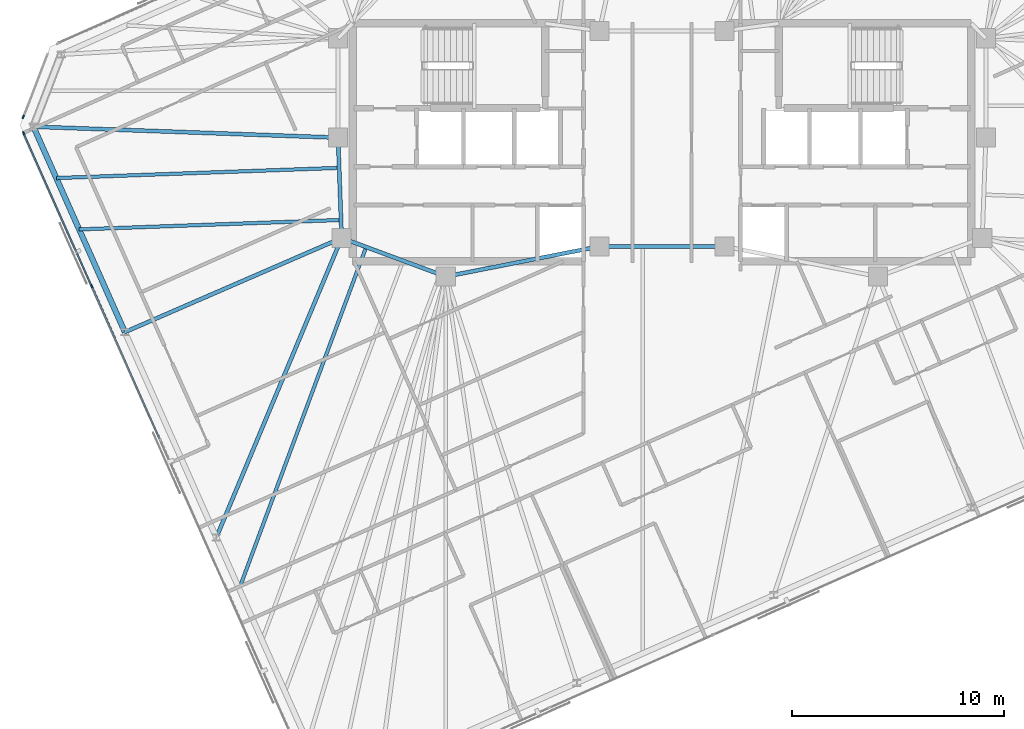
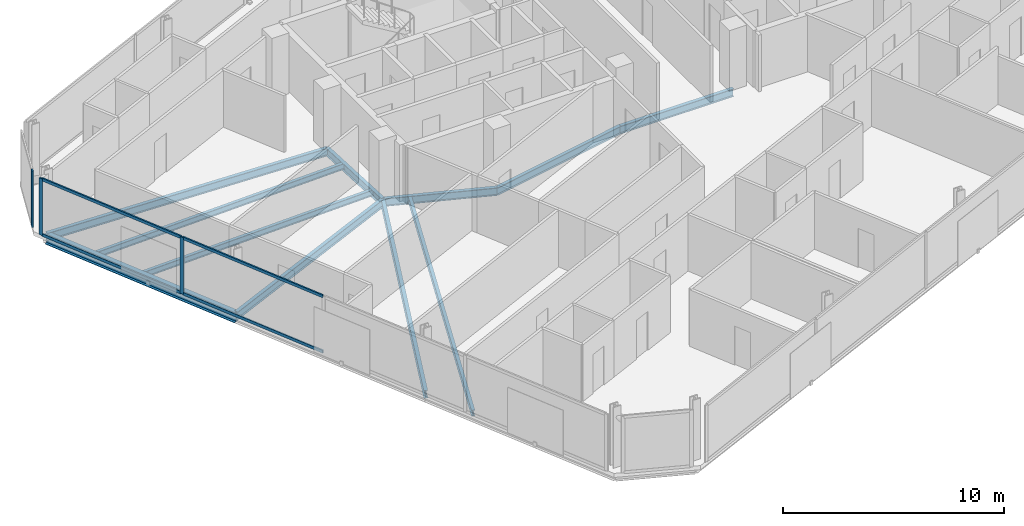
# One storey, part 6 of 19: 11 beams, 7 members, 2 elements without a shape of their own.
"""IFC4 building model written with IfcOpenShell, lengths in metres."""

from ifc_helpers import new_model, si_unit, direction, frame, origin, origin_2d, place, context, subcontext, project, spatial, rectangle, i_section, extrude, material, material_profile, profile_set, type_object, element, aggregate, save


model = new_model("IFC4")

# Units and contexts
model_context = context("Model", 3, precision=1e-05, world=origin(), true_north=direction((0.0, 1.0)))
body_context = subcontext(model_context, "Body", "Model", "MODEL_VIEW")
ifc_project = project(units=[si_unit("LENGTHUNIT", "METRE"), si_unit("AREAUNIT", "SQUARE_METRE"), si_unit("VOLUMEUNIT", "CUBIC_METRE"), si_unit("PLANEANGLEUNIT", "RADIAN"), si_unit("MASSUNIT", "GRAM", prefix="KILO")], contexts=[model_context])

# Site, building, storey
site_placement = place(None, origin())
site = spatial("IfcSite", under=ifc_project, at=site_placement, CompositionType="ELEMENT")
building_placement = place(site_placement, origin())
building = spatial("IfcBuilding", under=site, at=building_placement, Name="Menara Jurai Vektor", CompositionType="ELEMENT")
storey_placement = place(building_placement, frame((0.0, 0.0, 295.300048828125)))
storey = spatial("IfcBuildingStorey", under=building, at=storey_placement, Name="L79", CompositionType="ELEMENT", Elevation=295.300048828125)

# Curtain wall, member
ifc_material_1 = material(Name="Anodised Pale Aluminium & Low-E Double Glazing", Category="aluminium")
curtain_wall_type = type_object("IfcCurtainWallType", Name="CW-BLK5", PredefinedType="NOTDEFINED", material=ifc_material_1)
curtain_wall_1_placement = place(storey_placement, origin())
curtain_wall_1 = element("IfcCurtainWall", 1, at=curtain_wall_1_placement, inside=storey, type_object=curtain_wall_type, Name="Unitised Curtain Wall L79 F06", PredefinedType="NOTDEFINED")
ifc_material_2 = material(Name="Anodised Pale Aluminium Mullion", Category="aluminium")
ifc_material_profile_1 = material_profile(ifc_material_2, rectangle(XDim=0.074951171875, YDim=0.175048828125, at=origin_2d()), Name="ALU MUL 75x175")
ifc_profile_set_1 = profile_set([ifc_material_profile_1], Name="Anodised Pale Aluminium Mullion")
member_type_1 = type_object("IfcMemberType", Name="CW-BLK5-MUL", PredefinedType="MULLION", material=ifc_profile_set_1)
member_1_placement = place(storey_placement, frame((-30.075439453125, 1.197265625, 0.0), z_axis=(0.0, 0.0, 1.0), x_axis=(0.933578193639, -0.358373766287, 0.0)))
member_1 = element("IfcMember", 2, at=member_1_placement, type_object=member_type_1, Name="CW-05 mullion 2", PredefinedType="MULLION", context=body_context, shape_type="SweptSolid", body=[
    extrude(rectangle(XDim=0.074951171875, YDim=0.175048828125, at=origin_2d()), origin(), (0.0, 0.0, 1.0), 3.125),
])
aggregate(curtain_wall_1, [member_1])

# Curtain wall, members
curtain_wall_2_placement = place(storey_placement, origin())
curtain_wall_2 = element("IfcCurtainWall", 3, at=curtain_wall_2_placement, inside=storey, type_object=curtain_wall_type, Name="Unitised Curtain Wall L79 F07", PredefinedType="NOTDEFINED")
member_2_placement = place(storey_placement, frame((-30.055419921875, 0.426025390625, 0.0), z_axis=(0.0, 0.0, 1.0), x_axis=(0.913546127706, 0.406735138086, 0.0)))
member_2 = element("IfcMember", 4, at=member_2_placement, type_object=member_type_1, Name="CW-05 mullion 1", PredefinedType="MULLION", context=body_context, shape_type="SweptSolid", body=[
    extrude(rectangle(XDim=0.074951171875, YDim=0.175048828125, at=origin_2d()), origin(), (0.0, 0.0, 1.0), 3.125),
])
member_3_placement = place(storey_placement, frame((-26.853271484375, -6.765869140625, 0.0), z_axis=(0.0, 0.0, 1.0), x_axis=(0.913546127706, 0.406735138086, 0.0)))
member_3 = element("IfcMember", 5, at=member_3_placement, type_object=member_type_1, Name="CW-05 mullion 2", PredefinedType="MULLION", context=body_context, shape_type="SweptSolid", body=[
    extrude(rectangle(XDim=0.074951171875, YDim=0.175048828125, at=origin_2d()), origin(), (0.0, 0.0, 1.0), 3.125),
])
ifc_material_3 = material(Name="Anodised Pale Aluminium Transom", Category="aluminium")
ifc_material_profile_2 = material_profile(ifc_material_3, rectangle(XDim=0.074951171875, YDim=0.155029296875, at=origin_2d()), Name="ALU TRN 75x155")
ifc_profile_set_2 = profile_set([ifc_material_profile_2], Name="Anodised Pale Aluminium Transom")
member_type_2 = type_object("IfcMemberType", Name="CW-BLK5-TRN", PredefinedType="USERDEFINED", material=ifc_profile_set_2)
member_4_placement = place(storey_placement, frame((-30.0400390625, 0.391845703125, 0.037353515625), z_axis=(0.406713581109, -0.913555725143, 0.0), x_axis=(0.913555725143, 0.406713581109, 0.0)))
member_4 = element("IfcMember", 6, at=member_4_placement, type_object=member_type_2, Name="CW-05 transom 1.1", ObjectType="TRANSOM", PredefinedType="USERDEFINED", context=body_context, shape_type="SweptSolid", body=[
    extrude(rectangle(XDim=0.074951171875, YDim=0.155029296875, at=origin_2d()), origin(), (0.0, 0.0, 1.0), 7.797607421875),
])
member_5_placement = place(storey_placement, frame((-30.0400390625, 0.391845703125, 3.08740234375), z_axis=(0.406713581109, -0.913555725143, 0.0), x_axis=(0.913555725143, 0.406713581109, 0.0)))
member_5 = element("IfcMember", 7, at=member_5_placement, type_object=member_type_2, Name="CW-05 transom 1.2", ObjectType="TRANSOM", PredefinedType="USERDEFINED", context=body_context, shape_type="SweptSolid", body=[
    extrude(rectangle(XDim=0.074951171875, YDim=0.155029296875, at=origin_2d()), origin(), (0.0, 0.0, 1.0), 7.797607421875),
])
member_6_placement = place(storey_placement, frame((-26.838134765625, -6.800048828125, 0.037353515625), z_axis=(0.406731062496, -0.913547942256, 0.0), x_axis=(0.913547942256, 0.406731062496, 0.0)))
member_6 = element("IfcMember", 8, at=member_6_placement, type_object=member_type_2, Name="CW-05 transom 2.1", ObjectType="TRANSOM", PredefinedType="USERDEFINED", context=body_context, shape_type="SweptSolid", body=[
    extrude(rectangle(XDim=0.074951171875, YDim=0.155029296875, at=origin_2d()), origin(), (0.0, 0.0, 1.0), 7.8349609375),
])
member_7_placement = place(storey_placement, frame((-26.838134765625, -6.800048828125, 3.08740234375), z_axis=(0.406731062496, -0.913547942256, 0.0), x_axis=(0.913547942256, 0.406731062496, 0.0)))
member_7 = element("IfcMember", 9, at=member_7_placement, type_object=member_type_2, Name="CW-05 transom 2.2", ObjectType="TRANSOM", PredefinedType="USERDEFINED", context=body_context, shape_type="SweptSolid", body=[
    extrude(rectangle(XDim=0.074951171875, YDim=0.155029296875, at=origin_2d()), origin(), (0.0, 0.0, 1.0), 7.8349609375),
])
aggregate(curtain_wall_2, [member_2, member_3, member_4, member_5, member_6, member_7])

# Beams
ifc_material_4 = material(Name="Steel S355", Category="steel")
ifc_material_profile_3 = material_profile(ifc_material_4, i_section(OverallWidth=0.18505859375, OverallDepth=0.429931640625, WebThickness=0.010986328125, FlangeThickness=0.01806640625, at=origin_2d()), Name="PG 430x185x76")
ifc_profile_set_3 = profile_set([ifc_material_profile_3], Name="Steel S355")
beam_type_1 = type_object("IfcBeamType", Name="STR-BM-430", PredefinedType="BEAM", material=ifc_profile_set_3)
beam_1_placement = place(storey_placement, frame((-15.080078125, -4.5, -0.43994140625), z_axis=(-0.035977314146, 0.999352606874, 0.0), x_axis=(-0.999352606874, -0.035977314146, 0.0)))
element("IfcBeam", 10, at=beam_1_placement, inside=storey, type_object=beam_type_1, Name="Core Ring Header Girder L79-CHW-W2", PredefinedType="BEAM", context=body_context, shape_type="SweptSolid", body=[
    extrude(i_section(OverallWidth=0.18505859375, OverallDepth=0.429931640625, WebThickness=0.010986328125, FlangeThickness=0.01806640625, at=origin_2d()), origin(), (0.0, 0.0, 1.0), 4.72314453125),
])
beam_2_placement = place(storey_placement, frame((-15.080078125, -4.5, -0.43994140625), z_axis=(0.937424400887, -0.348188874925, 0.0), x_axis=(0.348188874925, 0.937424400887, 0.0)))
element("IfcBeam", 11, at=beam_2_placement, inside=storey, type_object=beam_type_1, Name="Core Ring Header Girder L79-CHW-S1", PredefinedType="BEAM", context=body_context, shape_type="SweptSolid", body=[
    extrude(i_section(OverallWidth=0.18505859375, OverallDepth=0.429931640625, WebThickness=0.010986328125, FlangeThickness=0.01806640625, at=origin_2d()), origin(), (0.0, 0.0, 1.0), 5.227294921875),
])
beam_3_placement = place(storey_placement, frame((-10.179931640625, -6.320068359375, -0.43994140625), z_axis=(0.981249044334, 0.192744164614, 0.0), x_axis=(-0.192744164614, 0.981249044334, 0.0)))
element("IfcBeam", 12, at=beam_3_placement, inside=storey, type_object=beam_type_1, Name="Core Ring Header Girder L79-CHW-S2", PredefinedType="BEAM", context=body_context, shape_type="SweptSolid", body=[
    extrude(i_section(OverallWidth=0.18505859375, OverallDepth=0.429931640625, WebThickness=0.010986328125, FlangeThickness=0.01806640625, at=origin_2d()), origin(), (0.0, 0.0, 1.0), 7.3681640625),
])
beam_4_placement = place(storey_placement, frame((-2.949951171875, -4.89990234375, -0.43994140625), z_axis=(1.0, 0.0, 0.0), x_axis=(0.0, 1.0, 0.0)))
element("IfcBeam", 13, at=beam_4_placement, inside=storey, type_object=beam_type_1, Name="Core Ring Header Girder L79-CC-1", PredefinedType="BEAM", context=body_context, shape_type="SweptSolid", body=[
    extrude(i_section(OverallWidth=0.18505859375, OverallDepth=0.429931640625, WebThickness=0.010986328125, FlangeThickness=0.01806640625, at=origin_2d()), origin(), (0.0, 0.0, 1.0), 5.89990234375),
])
beam_5_placement = place(storey_placement, frame((-29.591796875, 0.73681640625, -0.43994140625), z_axis=(0.999351273077, -0.03601434436, 0.0), x_axis=(0.03601434436, 0.999351273077, 0.0)))
element("IfcBeam", 14, at=beam_5_placement, inside=storey, type_object=beam_type_1, Name="Radial Floor Girder L79-W1", PredefinedType="BEAM", context=body_context, shape_type="SweptSolid", body=[
    extrude(i_section(OverallWidth=0.18505859375, OverallDepth=0.429931640625, WebThickness=0.010986328125, FlangeThickness=0.01806640625, at=origin_2d()), origin(), (0.0, 0.0, 1.0), 14.35107421875),
])
beam_6_placement = place(storey_placement, frame((-25.286376953125, -8.933349609375, -0.43994140625), z_axis=(0.917207084259, 0.398410798781, 0.0), x_axis=(-0.398410798781, 0.917207084259, 0.0)))
element("IfcBeam", 15, at=beam_6_placement, inside=storey, type_object=beam_type_1, Name="Radial Floor Girder L79-W2", PredefinedType="BEAM", context=body_context, shape_type="SweptSolid", body=[
    extrude(i_section(OverallWidth=0.18505859375, OverallDepth=0.429931640625, WebThickness=0.010986328125, FlangeThickness=0.01806640625, at=origin_2d()), origin(), (0.0, 0.0, 1.0), 11.127685546875),
])
beam_7_placement = place(storey_placement, frame((-20.98095703125, -18.603271484375, -0.43994140625), z_axis=(0.38598134247, 0.922506587112, 0.0), x_axis=(-0.922506587112, 0.38598134247, 0.0)))
element("IfcBeam", 16, at=beam_7_placement, inside=storey, type_object=beam_type_1, Name="Radial Floor Girder L79-W3", PredefinedType="BEAM", context=body_context, shape_type="SweptSolid", body=[
    extrude(i_section(OverallWidth=0.18505859375, OverallDepth=0.429931640625, WebThickness=0.010986328125, FlangeThickness=0.01806640625, at=origin_2d()), origin(), (0.0, 0.0, 1.0), 15.2880859375),
])
ifc_material_profile_4 = material_profile(ifc_material_4, i_section(OverallWidth=0.1650390625, OverallDepth=0.330078125, WebThickness=0.009033203125, FlangeThickness=0.013916015625, at=origin_2d()), Name="PG 330x165x46")
ifc_profile_set_4 = profile_set([ifc_material_profile_4], Name="Steel S355")
beam_type_2 = type_object("IfcBeamType", Name="STR-JS-330", PredefinedType="JOIST", material=ifc_profile_set_4)
beam_8_placement = place(storey_placement, frame((-28.515380859375, -1.6806640625, -0.39013671875), z_axis=(0.999352378837, 0.035983647851, 0.0), x_axis=(-0.035983647851, 0.999352378837, 0.0)))
element("IfcBeam", 17, at=beam_8_placement, inside=storey, type_object=beam_type_2, Name="Radial Secondary Floor Joist L79-JS26", PredefinedType="JOIST", context=body_context, shape_type="SweptSolid", body=[
    extrude(i_section(OverallWidth=0.1650390625, OverallDepth=0.330078125, WebThickness=0.009033203125, FlangeThickness=0.013916015625, at=origin_2d()), origin(), (0.0, 0.0, 1.0), 13.3251953125),
])
beam_9_placement = place(storey_placement, frame((-27.43896484375, -4.09814453125, -0.39013671875), z_axis=(0.999352552329, 0.03597882924, 0.0), x_axis=(-0.03597882924, 0.999352552329, 0.0)))
element("IfcBeam", 18, at=beam_9_placement, inside=storey, type_object=beam_type_2, Name="Radial Secondary Floor Joist L79-JS27", PredefinedType="JOIST", context=body_context, shape_type="SweptSolid", body=[
    extrude(i_section(OverallWidth=0.1650390625, OverallDepth=0.330078125, WebThickness=0.009033203125, FlangeThickness=0.013916015625, at=origin_2d()), origin(), (0.0, 0.0, 1.0), 12.33642578125),
])
beam_10_placement = place(storey_placement, frame((-19.904541015625, -21.020751953125, -0.39013671875), z_axis=(0.348190100331, 0.937423945732, 0.0), x_axis=(-0.937423945732, 0.348190100331, 0.0)))
element("IfcBeam", 19, at=beam_10_placement, inside=storey, type_object=beam_type_2, Name="Radial Secondary Floor Joist L79-JS28", PredefinedType="JOIST", context=body_context, shape_type="SweptSolid", body=[
    extrude(i_section(OverallWidth=0.1650390625, OverallDepth=0.330078125, WebThickness=0.009033203125, FlangeThickness=0.013916015625, at=origin_2d()), origin(), (0.0, 0.0, 1.0), 17.166748046875),
])
ifc_material_profile_5 = material_profile(ifc_material_4, i_section(OverallWidth=0.260009765625, OverallDepth=0.570068359375, WebThickness=0.013916015625, FlangeThickness=0.02392578125, at=origin_2d()), Name="PG 570x260x145")
ifc_profile_set_5 = profile_set([ifc_material_profile_5], Name="Steel S355")
beam_type_3 = type_object("IfcBeamType", Name="STR-SP-570", PredefinedType="SPANDREL", material=ifc_profile_set_5)
beam_11_placement = place(storey_placement, frame((-29.591796875, 0.73681640625, -0.510009765625), z_axis=(0.40673543049, -0.91354599752, 0.0), x_axis=(0.91354599752, 0.40673543049, 0.0)))
element("IfcBeam", 20, at=beam_11_placement, inside=storey, type_object=beam_type_3, Name="Exoskeleton Spandrel Beam L79-17", PredefinedType="SPANDREL", context=body_context, shape_type="SweptSolid", body=[
    extrude(i_section(OverallWidth=0.260009765625, OverallDepth=0.570068359375, WebThickness=0.013916015625, FlangeThickness=0.02392578125, at=origin_2d()), origin(), (0.0, 0.0, 1.0), 10.585205078125),
])

save(model, "model.ifc")
